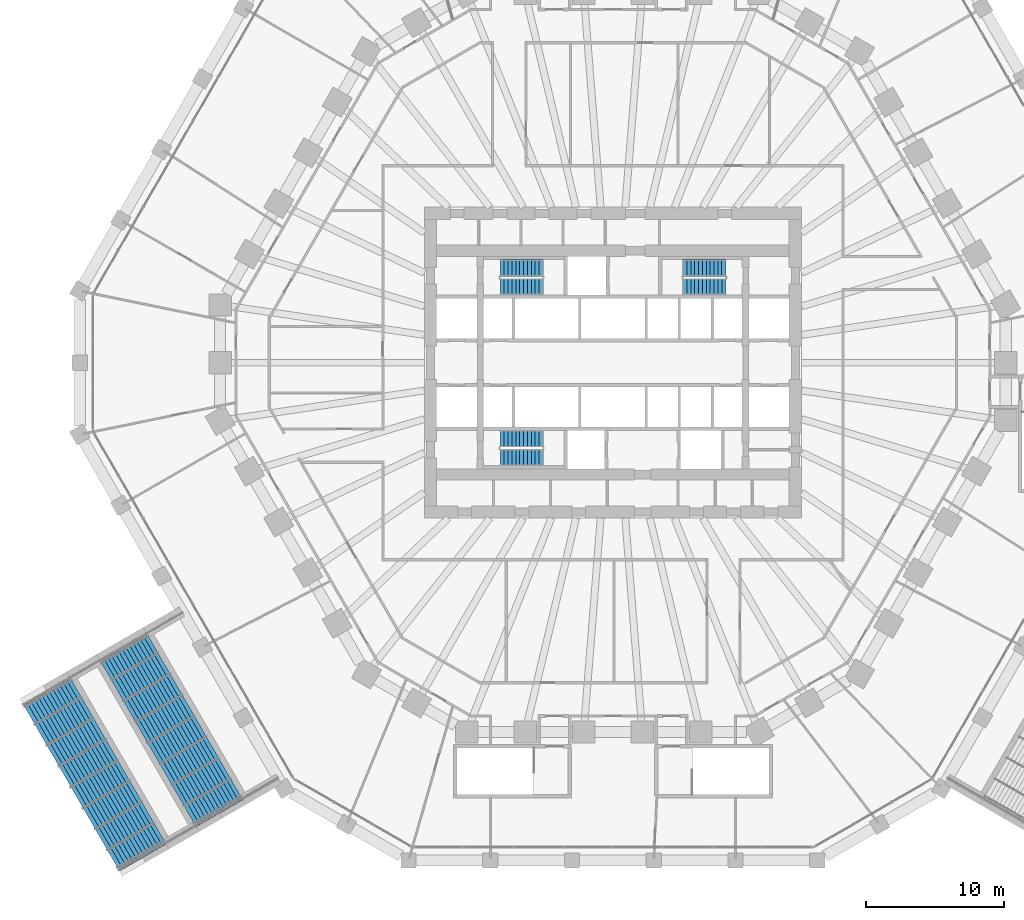
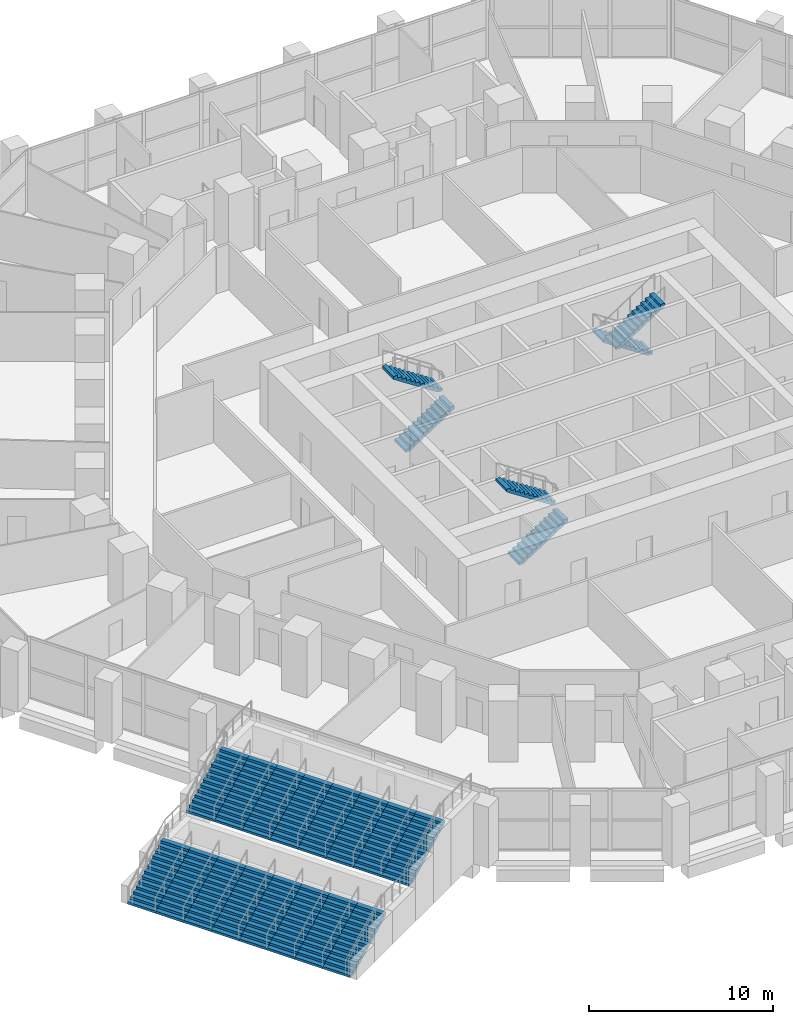
# One storey, part 30 of 38: 22 stair flights, 4 elements without a shape of their own.
"""IFC4 building model written with IfcOpenShell, lengths in metres."""

from ifc_helpers import new_model, si_unit, direction, frame, origin, place, context, subcontext, project, spatial, polyline, outline, extrude, material, layer, layer_set, type_object, element, aggregate, save


model = new_model("IFC4")

# Units and contexts
model_context = context("Model", 3, precision=1e-05, world=origin(), true_north=direction((0.0, 1.0)))
body_context = subcontext(model_context, "Body", "Model", "MODEL_VIEW")
ifc_project = project(units=[si_unit("LENGTHUNIT", "METRE"), si_unit("AREAUNIT", "SQUARE_METRE"), si_unit("VOLUMEUNIT", "CUBIC_METRE"), si_unit("PLANEANGLEUNIT", "RADIAN"), si_unit("MASSUNIT", "GRAM", prefix="KILO")], contexts=[model_context])

# Site, building, storey
site_placement = place(None, origin())
site = spatial("IfcSite", under=ifc_project, at=site_placement, CompositionType="ELEMENT")
building_placement = place(site_placement, origin())
building = spatial("IfcBuilding", under=site, at=building_placement, Name="Frailejon Research Tower", CompositionType="ELEMENT")
storey_placement = place(building_placement, frame((0.0, 0.0, 10.199951171875)))
storey = spatial("IfcBuildingStorey", under=building, at=storey_placement, Name="L02", CompositionType="ELEMENT", Elevation=10.199951171875)

# Stair, stair flights
ifc_material_1 = material(Name="Concrete C35/45", Category="concrete")
stair_type_1 = type_object("IfcStairType", Name="Broad stair", PredefinedType="STRAIGHT_RUN_STAIR", material=ifc_material_1)
stair_1_placement = place(storey_placement, origin())
stair_1 = element("IfcStair", 1, at=stair_1_placement, inside=storey, type_object=stair_type_1, Name="Broad stair W3", PredefinedType="STRAIGHT_RUN_STAIR")
ifc_material_2 = material(Name="Concrete C35/45", Category="concrete")
stair_flight_type_1 = type_object("IfcStairFlightType", Name="Broad stair flight", PredefinedType="STRAIGHT", material=ifc_material_2)
stair_flight_1_placement = place(storey_placement, frame((-36.715087890625, -22.207763671875, 2.199951171875), z_axis=(0.0, 0.0, 1.0), x_axis=(0.866025403784, 0.5, 0.0)))
stair_flight_1 = element("IfcStairFlight", 2, at=stair_flight_1_placement, type_object=stair_flight_type_1, Name="SS-W3 flight 1", NumberOfRisers=14, NumberOfTreads=13, PredefinedType="STRAIGHT", RiserHeight=0.157142857, TreadLength=0.3, context=body_context, shape_type="SweptSolid", body=[
    extrude(outline(polyline([(0.0, 0.0), (0.0, 0.1572265625), (0.300048828125, 0.1572265625), (0.300048828125, 0.314208984375), (0.60009765625, 0.314208984375), (0.60009765625, 0.471435546875), (0.89990234375, 0.471435546875), (0.89990234375, 0.628662109375), (1.199951171875, 0.628662109375), (1.199951171875, 0.78564453125), (1.5, 0.78564453125), (1.5, 0.94287109375), (1.800048828125, 0.94287109375), (1.800048828125, 1.10009765625), (2.10009765625, 1.10009765625), (2.10009765625, 1.257080078125), (2.39990234375, 1.257080078125), (2.39990234375, 1.414306640625), (2.699951171875, 1.414306640625), (2.699951171875, 1.571533203125), (3.0, 1.571533203125), (3.0, 1.728515625), (3.300048828125, 1.728515625), (3.300048828125, 1.8857421875), (3.60009765625, 1.8857421875), (3.60009765625, 2.04296875), (3.89990234375, 2.04296875), (3.89990234375, 2.199951171875), (3.89990234375, 1.817138671875), (0.430908203125, 0.0), (0.0, 0.0)])), frame((0.0, 0.875, 0.0), z_axis=(0.0, -1.0, 0.0), x_axis=(1.0, 0.0, 0.0)), (0.0, 0.0, 1.0), 1.75),
])
stair_flight_2_placement = place(storey_placement, frame((-35.840087890625, -23.723388671875, 2.199951171875), z_axis=(0.0, 0.0, 1.0), x_axis=(0.866025403784, 0.5, 0.0)))
stair_flight_2 = element("IfcStairFlight", 3, at=stair_flight_2_placement, type_object=stair_flight_type_1, Name="SS-W3 flight 2", NumberOfRisers=14, NumberOfTreads=13, PredefinedType="STRAIGHT", RiserHeight=0.157142857, TreadLength=0.3, context=body_context, shape_type="SweptSolid", body=[
    extrude(outline(polyline([(0.0, 0.0), (0.0, 0.1572265625), (0.300048828125, 0.1572265625), (0.300048828125, 0.314208984375), (0.60009765625, 0.314208984375), (0.60009765625, 0.471435546875), (0.89990234375, 0.471435546875), (0.89990234375, 0.628662109375), (1.199951171875, 0.628662109375), (1.199951171875, 0.78564453125), (1.5, 0.78564453125), (1.5, 0.94287109375), (1.800048828125, 0.94287109375), (1.800048828125, 1.10009765625), (2.10009765625, 1.10009765625), (2.10009765625, 1.257080078125), (2.39990234375, 1.257080078125), (2.39990234375, 1.414306640625), (2.699951171875, 1.414306640625), (2.699951171875, 1.571533203125), (3.0, 1.571533203125), (3.0, 1.728515625), (3.300048828125, 1.728515625), (3.300048828125, 1.8857421875), (3.60009765625, 1.8857421875), (3.60009765625, 2.04296875), (3.89990234375, 2.04296875), (3.89990234375, 2.199951171875), (3.89990234375, 1.817138671875), (0.430908203125, 0.0), (0.0, 0.0)])), frame((0.0, 0.875, 0.0), z_axis=(0.0, -1.0, 0.0), x_axis=(1.0, 0.0, 0.0)), (0.0, 0.0, 1.0), 1.75),
])
stair_flight_3_placement = place(storey_placement, frame((-34.965087890625, -25.239013671875, 2.199951171875), z_axis=(0.0, 0.0, 1.0), x_axis=(0.866025403784, 0.5, 0.0)))
stair_flight_3 = element("IfcStairFlight", 4, at=stair_flight_3_placement, type_object=stair_flight_type_1, Name="SS-W3 flight 3", NumberOfRisers=14, NumberOfTreads=13, PredefinedType="STRAIGHT", RiserHeight=0.157142857, TreadLength=0.3, context=body_context, shape_type="SweptSolid", body=[
    extrude(outline(polyline([(0.0, 0.0), (0.0, 0.1572265625), (0.300048828125, 0.1572265625), (0.300048828125, 0.314208984375), (0.60009765625, 0.314208984375), (0.60009765625, 0.471435546875), (0.89990234375, 0.471435546875), (0.89990234375, 0.628662109375), (1.199951171875, 0.628662109375), (1.199951171875, 0.78564453125), (1.5, 0.78564453125), (1.5, 0.94287109375), (1.800048828125, 0.94287109375), (1.800048828125, 1.10009765625), (2.10009765625, 1.10009765625), (2.10009765625, 1.257080078125), (2.39990234375, 1.257080078125), (2.39990234375, 1.414306640625), (2.699951171875, 1.414306640625), (2.699951171875, 1.571533203125), (3.0, 1.571533203125), (3.0, 1.728515625), (3.300048828125, 1.728515625), (3.300048828125, 1.8857421875), (3.60009765625, 1.8857421875), (3.60009765625, 2.04296875), (3.89990234375, 2.04296875), (3.89990234375, 2.199951171875), (3.89990234375, 1.817138671875), (0.430908203125, 0.0), (0.0, 0.0)])), frame((0.0, 0.875, 0.0), z_axis=(0.0, -1.0, 0.0), x_axis=(1.0, 0.0, 0.0)), (0.0, 0.0, 1.0), 1.75),
])
stair_flight_4_placement = place(storey_placement, frame((-34.090087890625, -26.75439453125, 2.199951171875), z_axis=(0.0, 0.0, 1.0), x_axis=(0.866025403784, 0.5, 0.0)))
stair_flight_4 = element("IfcStairFlight", 5, at=stair_flight_4_placement, type_object=stair_flight_type_1, Name="SS-W3 flight 4", NumberOfRisers=14, NumberOfTreads=13, PredefinedType="STRAIGHT", RiserHeight=0.157142857, TreadLength=0.3, context=body_context, shape_type="SweptSolid", body=[
    extrude(outline(polyline([(0.0, 0.0), (0.0, 0.1572265625), (0.300048828125, 0.1572265625), (0.300048828125, 0.314208984375), (0.60009765625, 0.314208984375), (0.60009765625, 0.471435546875), (0.89990234375, 0.471435546875), (0.89990234375, 0.628662109375), (1.199951171875, 0.628662109375), (1.199951171875, 0.78564453125), (1.5, 0.78564453125), (1.5, 0.94287109375), (1.800048828125, 0.94287109375), (1.800048828125, 1.10009765625), (2.10009765625, 1.10009765625), (2.10009765625, 1.257080078125), (2.39990234375, 1.257080078125), (2.39990234375, 1.414306640625), (2.699951171875, 1.414306640625), (2.699951171875, 1.571533203125), (3.0, 1.571533203125), (3.0, 1.728515625), (3.300048828125, 1.728515625), (3.300048828125, 1.8857421875), (3.60009765625, 1.8857421875), (3.60009765625, 2.04296875), (3.89990234375, 2.04296875), (3.89990234375, 2.199951171875), (3.89990234375, 1.817138671875), (0.430908203125, 0.0), (0.0, 0.0)])), frame((0.0, 0.875, 0.0), z_axis=(0.0, -1.0, 0.0), x_axis=(1.0, 0.0, 0.0)), (0.0, 0.0, 1.0), 1.75),
])
stair_flight_5_placement = place(storey_placement, frame((-33.215087890625, -28.27001953125, 2.199951171875), z_axis=(0.0, 0.0, 1.0), x_axis=(0.866025403784, 0.5, 0.0)))
stair_flight_5 = element("IfcStairFlight", 6, at=stair_flight_5_placement, type_object=stair_flight_type_1, Name="SS-W3 flight 5", NumberOfRisers=14, NumberOfTreads=13, PredefinedType="STRAIGHT", RiserHeight=0.157142857, TreadLength=0.3, context=body_context, shape_type="SweptSolid", body=[
    extrude(outline(polyline([(0.0, 0.0), (0.0, 0.1572265625), (0.300048828125, 0.1572265625), (0.300048828125, 0.314208984375), (0.60009765625, 0.314208984375), (0.60009765625, 0.471435546875), (0.89990234375, 0.471435546875), (0.89990234375, 0.628662109375), (1.199951171875, 0.628662109375), (1.199951171875, 0.78564453125), (1.5, 0.78564453125), (1.5, 0.94287109375), (1.800048828125, 0.94287109375), (1.800048828125, 1.10009765625), (2.10009765625, 1.10009765625), (2.10009765625, 1.257080078125), (2.39990234375, 1.257080078125), (2.39990234375, 1.414306640625), (2.699951171875, 1.414306640625), (2.699951171875, 1.571533203125), (3.0, 1.571533203125), (3.0, 1.728515625), (3.300048828125, 1.728515625), (3.300048828125, 1.8857421875), (3.60009765625, 1.8857421875), (3.60009765625, 2.04296875), (3.89990234375, 2.04296875), (3.89990234375, 2.199951171875), (3.89990234375, 1.817138671875), (0.430908203125, 0.0), (0.0, 0.0)])), frame((0.0, 0.875, 0.0), z_axis=(0.0, -1.0, 0.0), x_axis=(1.0, 0.0, 0.0)), (0.0, 0.0, 1.0), 1.75),
])
stair_flight_6_placement = place(storey_placement, frame((-32.340087890625, -29.785400390625, 2.199951171875), z_axis=(0.0, 0.0, 1.0), x_axis=(0.866025403784, 0.5, 0.0)))
stair_flight_6 = element("IfcStairFlight", 7, at=stair_flight_6_placement, type_object=stair_flight_type_1, Name="SS-W3 flight 6", NumberOfRisers=14, NumberOfTreads=13, PredefinedType="STRAIGHT", RiserHeight=0.157142857, TreadLength=0.3, context=body_context, shape_type="SweptSolid", body=[
    extrude(outline(polyline([(0.0, 0.0), (0.0, 0.1572265625), (0.300048828125, 0.1572265625), (0.300048828125, 0.314208984375), (0.60009765625, 0.314208984375), (0.60009765625, 0.471435546875), (0.89990234375, 0.471435546875), (0.89990234375, 0.628662109375), (1.199951171875, 0.628662109375), (1.199951171875, 0.78564453125), (1.5, 0.78564453125), (1.5, 0.94287109375), (1.800048828125, 0.94287109375), (1.800048828125, 1.10009765625), (2.10009765625, 1.10009765625), (2.10009765625, 1.257080078125), (2.39990234375, 1.257080078125), (2.39990234375, 1.414306640625), (2.699951171875, 1.414306640625), (2.699951171875, 1.571533203125), (3.0, 1.571533203125), (3.0, 1.728515625), (3.300048828125, 1.728515625), (3.300048828125, 1.8857421875), (3.60009765625, 1.8857421875), (3.60009765625, 2.04296875), (3.89990234375, 2.04296875), (3.89990234375, 2.199951171875), (3.89990234375, 1.817138671875), (0.430908203125, 0.0), (0.0, 0.0)])), frame((0.0, 0.875, 0.0), z_axis=(0.0, -1.0, 0.0), x_axis=(1.0, 0.0, 0.0)), (0.0, 0.0, 1.0), 1.75),
])
stair_flight_7_placement = place(storey_placement, frame((-31.465087890625, -31.301025390625, 2.199951171875), z_axis=(0.0, 0.0, 1.0), x_axis=(0.866025403784, 0.5, 0.0)))
stair_flight_7 = element("IfcStairFlight", 8, at=stair_flight_7_placement, type_object=stair_flight_type_1, Name="SS-W3 flight 7", NumberOfRisers=14, NumberOfTreads=13, PredefinedType="STRAIGHT", RiserHeight=0.157142857, TreadLength=0.3, context=body_context, shape_type="SweptSolid", body=[
    extrude(outline(polyline([(0.0, 0.0), (0.0, 0.1572265625), (0.300048828125, 0.1572265625), (0.300048828125, 0.314208984375), (0.60009765625, 0.314208984375), (0.60009765625, 0.471435546875), (0.89990234375, 0.471435546875), (0.89990234375, 0.628662109375), (1.199951171875, 0.628662109375), (1.199951171875, 0.78564453125), (1.5, 0.78564453125), (1.5, 0.94287109375), (1.800048828125, 0.94287109375), (1.800048828125, 1.10009765625), (2.10009765625, 1.10009765625), (2.10009765625, 1.257080078125), (2.39990234375, 1.257080078125), (2.39990234375, 1.414306640625), (2.699951171875, 1.414306640625), (2.699951171875, 1.571533203125), (3.0, 1.571533203125), (3.0, 1.728515625), (3.300048828125, 1.728515625), (3.300048828125, 1.8857421875), (3.60009765625, 1.8857421875), (3.60009765625, 2.04296875), (3.89990234375, 2.04296875), (3.89990234375, 2.199951171875), (3.89990234375, 1.817138671875), (0.430908203125, 0.0), (0.0, 0.0)])), frame((0.0, 0.875, 0.0), z_axis=(0.0, -1.0, 0.0), x_axis=(1.0, 0.0, 0.0)), (0.0, 0.0, 1.0), 1.75),
])
stair_flight_8_placement = place(storey_placement, frame((-30.590087890625, -32.816650390625, 2.199951171875), z_axis=(0.0, 0.0, 1.0), x_axis=(0.866025403784, 0.5, 0.0)))
stair_flight_8 = element("IfcStairFlight", 9, at=stair_flight_8_placement, type_object=stair_flight_type_1, Name="SS-W3 flight 8", NumberOfRisers=14, NumberOfTreads=13, PredefinedType="STRAIGHT", RiserHeight=0.157142857, TreadLength=0.3, context=body_context, shape_type="SweptSolid", body=[
    extrude(outline(polyline([(0.0, 0.0), (0.0, 0.1572265625), (0.300048828125, 0.1572265625), (0.300048828125, 0.314208984375), (0.60009765625, 0.314208984375), (0.60009765625, 0.471435546875), (0.89990234375, 0.471435546875), (0.89990234375, 0.628662109375), (1.199951171875, 0.628662109375), (1.199951171875, 0.78564453125), (1.5, 0.78564453125), (1.5, 0.94287109375), (1.800048828125, 0.94287109375), (1.800048828125, 1.10009765625), (2.10009765625, 1.10009765625), (2.10009765625, 1.257080078125), (2.39990234375, 1.257080078125), (2.39990234375, 1.414306640625), (2.699951171875, 1.414306640625), (2.699951171875, 1.571533203125), (3.0, 1.571533203125), (3.0, 1.728515625), (3.300048828125, 1.728515625), (3.300048828125, 1.8857421875), (3.60009765625, 1.8857421875), (3.60009765625, 2.04296875), (3.89990234375, 2.04296875), (3.89990234375, 2.199951171875), (3.89990234375, 1.817138671875), (0.430908203125, 0.0), (0.0, 0.0)])), frame((0.0, 0.875, 0.0), z_axis=(0.0, -1.0, 0.0), x_axis=(1.0, 0.0, 0.0)), (0.0, 0.0, 1.0), 1.75),
])
stair_flight_9_placement = place(storey_placement, frame((-42.257568359375, -25.40771484375, 0.0), z_axis=(0.0, 0.0, 1.0), x_axis=(0.866025403784, 0.5, 0.0)))
stair_flight_9 = element("IfcStairFlight", 10, at=stair_flight_9_placement, type_object=stair_flight_type_1, Name="SS-W3 flight 9", NumberOfRisers=14, NumberOfTreads=13, PredefinedType="STRAIGHT", RiserHeight=0.157142857, TreadLength=0.3, context=body_context, shape_type="SweptSolid", body=[
    extrude(outline(polyline([(0.0, 0.0), (0.0, 0.1572265625), (0.300048828125, 0.1572265625), (0.300048828125, 0.314208984375), (0.60009765625, 0.314208984375), (0.60009765625, 0.471435546875), (0.89990234375, 0.471435546875), (0.89990234375, 0.628662109375), (1.199951171875, 0.628662109375), (1.199951171875, 0.78564453125), (1.5, 0.78564453125), (1.5, 0.94287109375), (1.800048828125, 0.94287109375), (1.800048828125, 1.10009765625), (2.10009765625, 1.10009765625), (2.10009765625, 1.257080078125), (2.39990234375, 1.257080078125), (2.39990234375, 1.414306640625), (2.699951171875, 1.414306640625), (2.699951171875, 1.571533203125), (3.0, 1.571533203125), (3.0, 1.728515625), (3.300048828125, 1.728515625), (3.300048828125, 1.8857421875), (3.60009765625, 1.8857421875), (3.60009765625, 2.04296875), (3.89990234375, 2.04296875), (3.89990234375, 2.199951171875), (3.89990234375, 1.817138671875), (0.430908203125, 0.0), (0.0, 0.0)])), frame((0.0, 0.875, 0.0), z_axis=(0.0, -1.0, 0.0), x_axis=(1.0, 0.0, 0.0)), (0.0, 0.0, 1.0), 1.75),
])
stair_flight_10_placement = place(storey_placement, frame((-41.382568359375, -26.92333984375, 0.0), z_axis=(0.0, 0.0, 1.0), x_axis=(0.866025403784, 0.5, 0.0)))
stair_flight_10 = element("IfcStairFlight", 11, at=stair_flight_10_placement, type_object=stair_flight_type_1, Name="SS-W3 flight 10", NumberOfRisers=14, NumberOfTreads=13, PredefinedType="STRAIGHT", RiserHeight=0.157142857, TreadLength=0.3, context=body_context, shape_type="SweptSolid", body=[
    extrude(outline(polyline([(0.0, 0.0), (0.0, 0.1572265625), (0.300048828125, 0.1572265625), (0.300048828125, 0.314208984375), (0.60009765625, 0.314208984375), (0.60009765625, 0.471435546875), (0.89990234375, 0.471435546875), (0.89990234375, 0.628662109375), (1.199951171875, 0.628662109375), (1.199951171875, 0.78564453125), (1.5, 0.78564453125), (1.5, 0.94287109375), (1.800048828125, 0.94287109375), (1.800048828125, 1.10009765625), (2.10009765625, 1.10009765625), (2.10009765625, 1.257080078125), (2.39990234375, 1.257080078125), (2.39990234375, 1.414306640625), (2.699951171875, 1.414306640625), (2.699951171875, 1.571533203125), (3.0, 1.571533203125), (3.0, 1.728515625), (3.300048828125, 1.728515625), (3.300048828125, 1.8857421875), (3.60009765625, 1.8857421875), (3.60009765625, 2.04296875), (3.89990234375, 2.04296875), (3.89990234375, 2.199951171875), (3.89990234375, 1.817138671875), (0.430908203125, 0.0), (0.0, 0.0)])), frame((0.0, 0.875, 0.0), z_axis=(0.0, -1.0, 0.0), x_axis=(1.0, 0.0, 0.0)), (0.0, 0.0, 1.0), 1.75),
])
stair_flight_11_placement = place(storey_placement, frame((-40.507568359375, -28.43896484375, 0.0), z_axis=(0.0, 0.0, 1.0), x_axis=(0.866025403784, 0.5, 0.0)))
stair_flight_11 = element("IfcStairFlight", 12, at=stair_flight_11_placement, type_object=stair_flight_type_1, Name="SS-W3 flight 11", NumberOfRisers=14, NumberOfTreads=13, PredefinedType="STRAIGHT", RiserHeight=0.157142857, TreadLength=0.3, context=body_context, shape_type="SweptSolid", body=[
    extrude(outline(polyline([(0.0, 0.0), (0.0, 0.1572265625), (0.300048828125, 0.1572265625), (0.300048828125, 0.314208984375), (0.60009765625, 0.314208984375), (0.60009765625, 0.471435546875), (0.89990234375, 0.471435546875), (0.89990234375, 0.628662109375), (1.199951171875, 0.628662109375), (1.199951171875, 0.78564453125), (1.5, 0.78564453125), (1.5, 0.94287109375), (1.800048828125, 0.94287109375), (1.800048828125, 1.10009765625), (2.10009765625, 1.10009765625), (2.10009765625, 1.257080078125), (2.39990234375, 1.257080078125), (2.39990234375, 1.414306640625), (2.699951171875, 1.414306640625), (2.699951171875, 1.571533203125), (3.0, 1.571533203125), (3.0, 1.728515625), (3.300048828125, 1.728515625), (3.300048828125, 1.8857421875), (3.60009765625, 1.8857421875), (3.60009765625, 2.04296875), (3.89990234375, 2.04296875), (3.89990234375, 2.199951171875), (3.89990234375, 1.817138671875), (0.430908203125, 0.0), (0.0, 0.0)])), frame((0.0, 0.875, 0.0), z_axis=(0.0, -1.0, 0.0), x_axis=(1.0, 0.0, 0.0)), (0.0, 0.0, 1.0), 1.75),
])
stair_flight_12_placement = place(storey_placement, frame((-39.632568359375, -29.954345703125, 0.0), z_axis=(0.0, 0.0, 1.0), x_axis=(0.866025403784, 0.5, 0.0)))
stair_flight_12 = element("IfcStairFlight", 13, at=stair_flight_12_placement, type_object=stair_flight_type_1, Name="SS-W3 flight 12", NumberOfRisers=14, NumberOfTreads=13, PredefinedType="STRAIGHT", RiserHeight=0.157142857, TreadLength=0.3, context=body_context, shape_type="SweptSolid", body=[
    extrude(outline(polyline([(0.0, 0.0), (0.0, 0.1572265625), (0.300048828125, 0.1572265625), (0.300048828125, 0.314208984375), (0.60009765625, 0.314208984375), (0.60009765625, 0.471435546875), (0.89990234375, 0.471435546875), (0.89990234375, 0.628662109375), (1.199951171875, 0.628662109375), (1.199951171875, 0.78564453125), (1.5, 0.78564453125), (1.5, 0.94287109375), (1.800048828125, 0.94287109375), (1.800048828125, 1.10009765625), (2.10009765625, 1.10009765625), (2.10009765625, 1.257080078125), (2.39990234375, 1.257080078125), (2.39990234375, 1.414306640625), (2.699951171875, 1.414306640625), (2.699951171875, 1.571533203125), (3.0, 1.571533203125), (3.0, 1.728515625), (3.300048828125, 1.728515625), (3.300048828125, 1.8857421875), (3.60009765625, 1.8857421875), (3.60009765625, 2.04296875), (3.89990234375, 2.04296875), (3.89990234375, 2.199951171875), (3.89990234375, 1.817138671875), (0.430908203125, 0.0), (0.0, 0.0)])), frame((0.0, 0.875, 0.0), z_axis=(0.0, -1.0, 0.0), x_axis=(1.0, 0.0, 0.0)), (0.0, 0.0, 1.0), 1.75),
])
stair_flight_13_placement = place(storey_placement, frame((-38.757568359375, -31.469970703125, 0.0), z_axis=(0.0, 0.0, 1.0), x_axis=(0.866025403784, 0.5, 0.0)))
stair_flight_13 = element("IfcStairFlight", 14, at=stair_flight_13_placement, type_object=stair_flight_type_1, Name="SS-W3 flight 13", NumberOfRisers=14, NumberOfTreads=13, PredefinedType="STRAIGHT", RiserHeight=0.157142857, TreadLength=0.3, context=body_context, shape_type="SweptSolid", body=[
    extrude(outline(polyline([(0.0, 0.0), (0.0, 0.1572265625), (0.300048828125, 0.1572265625), (0.300048828125, 0.314208984375), (0.60009765625, 0.314208984375), (0.60009765625, 0.471435546875), (0.89990234375, 0.471435546875), (0.89990234375, 0.628662109375), (1.199951171875, 0.628662109375), (1.199951171875, 0.78564453125), (1.5, 0.78564453125), (1.5, 0.94287109375), (1.800048828125, 0.94287109375), (1.800048828125, 1.10009765625), (2.10009765625, 1.10009765625), (2.10009765625, 1.257080078125), (2.39990234375, 1.257080078125), (2.39990234375, 1.414306640625), (2.699951171875, 1.414306640625), (2.699951171875, 1.571533203125), (3.0, 1.571533203125), (3.0, 1.728515625), (3.300048828125, 1.728515625), (3.300048828125, 1.8857421875), (3.60009765625, 1.8857421875), (3.60009765625, 2.04296875), (3.89990234375, 2.04296875), (3.89990234375, 2.199951171875), (3.89990234375, 1.817138671875), (0.430908203125, 0.0), (0.0, 0.0)])), frame((0.0, 0.875, 0.0), z_axis=(0.0, -1.0, 0.0), x_axis=(1.0, 0.0, 0.0)), (0.0, 0.0, 1.0), 1.75),
])
stair_flight_14_placement = place(storey_placement, frame((-37.882568359375, -32.985595703125, 0.0), z_axis=(0.0, 0.0, 1.0), x_axis=(0.866025403784, 0.5, 0.0)))
stair_flight_14 = element("IfcStairFlight", 15, at=stair_flight_14_placement, type_object=stair_flight_type_1, Name="SS-W3 flight 14", NumberOfRisers=14, NumberOfTreads=13, PredefinedType="STRAIGHT", RiserHeight=0.157142857, TreadLength=0.3, context=body_context, shape_type="SweptSolid", body=[
    extrude(outline(polyline([(0.0, 0.0), (0.0, 0.1572265625), (0.300048828125, 0.1572265625), (0.300048828125, 0.314208984375), (0.60009765625, 0.314208984375), (0.60009765625, 0.471435546875), (0.89990234375, 0.471435546875), (0.89990234375, 0.628662109375), (1.199951171875, 0.628662109375), (1.199951171875, 0.78564453125), (1.5, 0.78564453125), (1.5, 0.94287109375), (1.800048828125, 0.94287109375), (1.800048828125, 1.10009765625), (2.10009765625, 1.10009765625), (2.10009765625, 1.257080078125), (2.39990234375, 1.257080078125), (2.39990234375, 1.414306640625), (2.699951171875, 1.414306640625), (2.699951171875, 1.571533203125), (3.0, 1.571533203125), (3.0, 1.728515625), (3.300048828125, 1.728515625), (3.300048828125, 1.8857421875), (3.60009765625, 1.8857421875), (3.60009765625, 2.04296875), (3.89990234375, 2.04296875), (3.89990234375, 2.199951171875), (3.89990234375, 1.817138671875), (0.430908203125, 0.0), (0.0, 0.0)])), frame((0.0, 0.875, 0.0), z_axis=(0.0, -1.0, 0.0), x_axis=(1.0, 0.0, 0.0)), (0.0, 0.0, 1.0), 1.75),
])
stair_flight_15_placement = place(storey_placement, frame((-37.007568359375, -34.5009765625, 0.0), z_axis=(0.0, 0.0, 1.0), x_axis=(0.866025403784, 0.5, 0.0)))
stair_flight_15 = element("IfcStairFlight", 16, at=stair_flight_15_placement, type_object=stair_flight_type_1, Name="SS-W3 flight 15", NumberOfRisers=14, NumberOfTreads=13, PredefinedType="STRAIGHT", RiserHeight=0.157142857, TreadLength=0.3, context=body_context, shape_type="SweptSolid", body=[
    extrude(outline(polyline([(0.0, 0.0), (0.0, 0.1572265625), (0.300048828125, 0.1572265625), (0.300048828125, 0.314208984375), (0.60009765625, 0.314208984375), (0.60009765625, 0.471435546875), (0.89990234375, 0.471435546875), (0.89990234375, 0.628662109375), (1.199951171875, 0.628662109375), (1.199951171875, 0.78564453125), (1.5, 0.78564453125), (1.5, 0.94287109375), (1.800048828125, 0.94287109375), (1.800048828125, 1.10009765625), (2.10009765625, 1.10009765625), (2.10009765625, 1.257080078125), (2.39990234375, 1.257080078125), (2.39990234375, 1.414306640625), (2.699951171875, 1.414306640625), (2.699951171875, 1.571533203125), (3.0, 1.571533203125), (3.0, 1.728515625), (3.300048828125, 1.728515625), (3.300048828125, 1.8857421875), (3.60009765625, 1.8857421875), (3.60009765625, 2.04296875), (3.89990234375, 2.04296875), (3.89990234375, 2.199951171875), (3.89990234375, 1.817138671875), (0.430908203125, 0.0), (0.0, 0.0)])), frame((0.0, 0.875, 0.0), z_axis=(0.0, -1.0, 0.0), x_axis=(1.0, 0.0, 0.0)), (0.0, 0.0, 1.0), 1.75),
])
stair_flight_16_placement = place(storey_placement, frame((-36.132568359375, -36.0166015625, 0.0), z_axis=(0.0, 0.0, 1.0), x_axis=(0.866025403784, 0.5, 0.0)))
stair_flight_16 = element("IfcStairFlight", 17, at=stair_flight_16_placement, type_object=stair_flight_type_1, Name="SS-W3 flight 16", NumberOfRisers=14, NumberOfTreads=13, PredefinedType="STRAIGHT", RiserHeight=0.157142857, TreadLength=0.3, context=body_context, shape_type="SweptSolid", body=[
    extrude(outline(polyline([(0.0, 0.0), (0.0, 0.1572265625), (0.300048828125, 0.1572265625), (0.300048828125, 0.314208984375), (0.60009765625, 0.314208984375), (0.60009765625, 0.471435546875), (0.89990234375, 0.471435546875), (0.89990234375, 0.628662109375), (1.199951171875, 0.628662109375), (1.199951171875, 0.78564453125), (1.5, 0.78564453125), (1.5, 0.94287109375), (1.800048828125, 0.94287109375), (1.800048828125, 1.10009765625), (2.10009765625, 1.10009765625), (2.10009765625, 1.257080078125), (2.39990234375, 1.257080078125), (2.39990234375, 1.414306640625), (2.699951171875, 1.414306640625), (2.699951171875, 1.571533203125), (3.0, 1.571533203125), (3.0, 1.728515625), (3.300048828125, 1.728515625), (3.300048828125, 1.8857421875), (3.60009765625, 1.8857421875), (3.60009765625, 2.04296875), (3.89990234375, 2.04296875), (3.89990234375, 2.199951171875), (3.89990234375, 1.817138671875), (0.430908203125, 0.0), (0.0, 0.0)])), frame((0.0, 0.875, 0.0), z_axis=(0.0, -1.0, 0.0), x_axis=(1.0, 0.0, 0.0)), (0.0, 0.0, 1.0), 1.75),
])
aggregate(stair_1, [stair_flight_1, stair_flight_2, stair_flight_3, stair_flight_4, stair_flight_5, stair_flight_6, stair_flight_7, stair_flight_8, stair_flight_9, stair_flight_10, stair_flight_11, stair_flight_12, stair_flight_13, stair_flight_14, stair_flight_15, stair_flight_16])

ifc_material_3 = material(Name="Concrete C50/60", Category="concrete")
stair_type_2 = type_object("IfcStairType", Name="Exit stair 24 risers", PredefinedType="HALF_TURN_STAIR", material=ifc_material_3)
stair_2_placement = place(storey_placement, origin())
stair_2 = element("IfcStair", 18, at=stair_2_placement, inside=storey, type_object=stair_type_2, Name="L02 Exit stair ST1", PredefinedType="HALF_TURN_STAIR")
ifc_material_4 = material(Name="Concrete C50/60", Category="concrete")
ifc_layer = layer(ifc_material_4, 0.14990234375)
ifc_layer_set = layer_set([ifc_layer], Name="Stair flight 12 risers")
stair_flight_type_2 = type_object("IfcStairFlightType", Name="Stair flight 12 risers", PredefinedType="STRAIGHT", material=ifc_layer_set)
stair_flight_17_placement = place(storey_placement, frame((-8.14990234375, 5.5, 0.0), z_axis=(0.0, 0.0, 1.0), x_axis=(1.0, 0.0, 0.0)))
stair_flight_17 = element("IfcStairFlight", 19, at=stair_flight_17_placement, type_object=stair_flight_type_2, Name="ST1 flight 1", NumberOfRisers=12, NumberOfTreads=11, PredefinedType="STRAIGHT", RiserHeight=0.183333333, TreadLength=0.28, context=body_context, shape_type="SweptSolid", body=[
    extrude(outline(polyline([(0.0, 0.0), (0.0, 0.183349609375), (0.280029296875, 0.183349609375), (0.280029296875, 0.36669921875), (0.56005859375, 0.36669921875), (0.56005859375, 0.550048828125), (0.840087890625, 0.550048828125), (0.840087890625, 0.7333984375), (1.1201171875, 0.7333984375), (1.1201171875, 0.916748046875), (1.39990234375, 0.916748046875), (1.39990234375, 1.10009765625), (1.679931640625, 1.10009765625), (1.679931640625, 1.283447265625), (1.9599609375, 1.283447265625), (1.9599609375, 1.466552734375), (2.239990234375, 1.466552734375), (2.239990234375, 1.64990234375), (2.52001953125, 1.64990234375), (2.52001953125, 1.833251953125), (2.800048828125, 1.833251953125), (2.800048828125, 2.0166015625), (3.080078125, 2.0166015625), (3.080078125, 2.199951171875), (3.080078125, 1.83740234375), (0.273681640625, 0.0), (0.0, 0.0)])), frame((0.0, 0.60009765625, 0.0), z_axis=(0.0, -1.0, 0.0), x_axis=(1.0, 0.0, 0.0)), (0.0, 0.0, 1.0), 1.199951171875),
])
stair_flight_18_placement = place(storey_placement, frame((-5.070068359375, 6.85009765625, 2.199951171875), z_axis=(0.0, 0.0, 1.0), x_axis=(-1.0, 0.0, 0.0)))
stair_flight_18 = element("IfcStairFlight", 20, at=stair_flight_18_placement, type_object=stair_flight_type_2, Name="ST1 flight 2", NumberOfRisers=12, NumberOfTreads=11, PredefinedType="STRAIGHT", RiserHeight=0.183333333, TreadLength=0.28, context=body_context, shape_type="SweptSolid", body=[
    extrude(outline(polyline([(0.0, 0.0), (0.0, 0.183349609375), (0.280029296875, 0.183349609375), (0.280029296875, 0.36669921875), (0.56005859375, 0.36669921875), (0.56005859375, 0.550048828125), (0.840087890625, 0.550048828125), (0.840087890625, 0.7333984375), (1.1201171875, 0.7333984375), (1.1201171875, 0.916748046875), (1.39990234375, 0.916748046875), (1.39990234375, 1.10009765625), (1.679931640625, 1.10009765625), (1.679931640625, 1.283447265625), (1.9599609375, 1.283447265625), (1.9599609375, 1.466552734375), (2.239990234375, 1.466552734375), (2.239990234375, 1.64990234375), (2.52001953125, 1.64990234375), (2.52001953125, 1.833251953125), (2.800048828125, 1.833251953125), (2.800048828125, 2.0166015625), (3.080078125, 2.0166015625), (3.080078125, 2.199951171875), (3.080078125, 1.83740234375), (0.273681640625, 0.0), (0.0, 0.0)])), frame((0.0, 0.60009765625, 0.0), z_axis=(0.0, -1.0, 0.0), x_axis=(1.0, 0.0, 0.0)), (0.0, 0.0, 1.0), 1.199951171875),
])
aggregate(stair_2, [stair_flight_17, stair_flight_18])

stair_3_placement = place(storey_placement, origin())
stair_3 = element("IfcStair", 21, at=stair_3_placement, inside=storey, type_object=stair_type_2, Name="L02 Exit stair ST2", PredefinedType="HALF_TURN_STAIR")
stair_flight_19_placement = place(storey_placement, frame((-8.14990234375, -6.85009765625, 0.0), z_axis=(0.0, 0.0, 1.0), x_axis=(1.0, 0.0, 0.0)))
stair_flight_19 = element("IfcStairFlight", 22, at=stair_flight_19_placement, type_object=stair_flight_type_2, Name="ST2 flight 1", NumberOfRisers=12, NumberOfTreads=11, PredefinedType="STRAIGHT", RiserHeight=0.183333333, TreadLength=0.28, context=body_context, shape_type="SweptSolid", body=[
    extrude(outline(polyline([(0.0, 0.0), (0.0, 0.183349609375), (0.280029296875, 0.183349609375), (0.280029296875, 0.36669921875), (0.56005859375, 0.36669921875), (0.56005859375, 0.550048828125), (0.840087890625, 0.550048828125), (0.840087890625, 0.7333984375), (1.1201171875, 0.7333984375), (1.1201171875, 0.916748046875), (1.39990234375, 0.916748046875), (1.39990234375, 1.10009765625), (1.679931640625, 1.10009765625), (1.679931640625, 1.283447265625), (1.9599609375, 1.283447265625), (1.9599609375, 1.466552734375), (2.239990234375, 1.466552734375), (2.239990234375, 1.64990234375), (2.52001953125, 1.64990234375), (2.52001953125, 1.833251953125), (2.800048828125, 1.833251953125), (2.800048828125, 2.0166015625), (3.080078125, 2.0166015625), (3.080078125, 2.199951171875), (3.080078125, 1.83740234375), (0.273681640625, 0.0), (0.0, 0.0)])), frame((0.0, 0.60009765625, 0.0), z_axis=(0.0, -1.0, 0.0), x_axis=(1.0, 0.0, 0.0)), (0.0, 0.0, 1.0), 1.199951171875),
])
stair_flight_20_placement = place(storey_placement, frame((-5.070068359375, -5.5, 2.199951171875), z_axis=(0.0, 0.0, 1.0), x_axis=(-1.0, 0.0, 0.0)))
stair_flight_20 = element("IfcStairFlight", 23, at=stair_flight_20_placement, type_object=stair_flight_type_2, Name="ST2 flight 2", NumberOfRisers=12, NumberOfTreads=11, PredefinedType="STRAIGHT", RiserHeight=0.183333333, TreadLength=0.28, context=body_context, shape_type="SweptSolid", body=[
    extrude(outline(polyline([(0.0, 0.0), (0.0, 0.183349609375), (0.280029296875, 0.183349609375), (0.280029296875, 0.36669921875), (0.56005859375, 0.36669921875), (0.56005859375, 0.550048828125), (0.840087890625, 0.550048828125), (0.840087890625, 0.7333984375), (1.1201171875, 0.7333984375), (1.1201171875, 0.916748046875), (1.39990234375, 0.916748046875), (1.39990234375, 1.10009765625), (1.679931640625, 1.10009765625), (1.679931640625, 1.283447265625), (1.9599609375, 1.283447265625), (1.9599609375, 1.466552734375), (2.239990234375, 1.466552734375), (2.239990234375, 1.64990234375), (2.52001953125, 1.64990234375), (2.52001953125, 1.833251953125), (2.800048828125, 1.833251953125), (2.800048828125, 2.0166015625), (3.080078125, 2.0166015625), (3.080078125, 2.199951171875), (3.080078125, 1.83740234375), (0.273681640625, 0.0), (0.0, 0.0)])), frame((0.0, 0.60009765625, 0.0), z_axis=(0.0, -1.0, 0.0), x_axis=(1.0, 0.0, 0.0)), (0.0, 0.0, 1.0), 1.199951171875),
])
aggregate(stair_3, [stair_flight_19, stair_flight_20])

stair_4_placement = place(storey_placement, origin())
stair_4 = element("IfcStair", 24, at=stair_4_placement, inside=storey, type_object=stair_type_2, Name="L02 Exit stair ST3", PredefinedType="HALF_TURN_STAIR")
stair_flight_21_placement = place(storey_placement, frame((8.14990234375, 6.85009765625, 0.0), z_axis=(0.0, 0.0, 1.0), x_axis=(-1.0, 0.0, 0.0)))
stair_flight_21 = element("IfcStairFlight", 25, at=stair_flight_21_placement, type_object=stair_flight_type_2, Name="ST3 flight 1", NumberOfRisers=12, NumberOfTreads=11, PredefinedType="STRAIGHT", RiserHeight=0.183333333, TreadLength=0.28, context=body_context, shape_type="SweptSolid", body=[
    extrude(outline(polyline([(0.0, 0.0), (0.0, 0.183349609375), (0.280029296875, 0.183349609375), (0.280029296875, 0.36669921875), (0.56005859375, 0.36669921875), (0.56005859375, 0.550048828125), (0.840087890625, 0.550048828125), (0.840087890625, 0.7333984375), (1.1201171875, 0.7333984375), (1.1201171875, 0.916748046875), (1.39990234375, 0.916748046875), (1.39990234375, 1.10009765625), (1.679931640625, 1.10009765625), (1.679931640625, 1.283447265625), (1.9599609375, 1.283447265625), (1.9599609375, 1.466552734375), (2.239990234375, 1.466552734375), (2.239990234375, 1.64990234375), (2.52001953125, 1.64990234375), (2.52001953125, 1.833251953125), (2.800048828125, 1.833251953125), (2.800048828125, 2.0166015625), (3.080078125, 2.0166015625), (3.080078125, 2.199951171875), (3.080078125, 1.83740234375), (0.273681640625, 0.0), (0.0, 0.0)])), frame((0.0, 0.60009765625, 0.0), z_axis=(0.0, -1.0, 0.0), x_axis=(1.0, 0.0, 0.0)), (0.0, 0.0, 1.0), 1.199951171875),
])
stair_flight_22_placement = place(storey_placement, frame((5.070068359375, 5.5, 2.199951171875), z_axis=(0.0, 0.0, 1.0), x_axis=(1.0, 0.0, 0.0)))
stair_flight_22 = element("IfcStairFlight", 26, at=stair_flight_22_placement, type_object=stair_flight_type_2, Name="ST3 flight 2", NumberOfRisers=12, NumberOfTreads=11, PredefinedType="STRAIGHT", RiserHeight=0.183333333, TreadLength=0.28, context=body_context, shape_type="SweptSolid", body=[
    extrude(outline(polyline([(0.0, 0.0), (0.0, 0.183349609375), (0.280029296875, 0.183349609375), (0.280029296875, 0.36669921875), (0.56005859375, 0.36669921875), (0.56005859375, 0.550048828125), (0.840087890625, 0.550048828125), (0.840087890625, 0.7333984375), (1.1201171875, 0.7333984375), (1.1201171875, 0.916748046875), (1.39990234375, 0.916748046875), (1.39990234375, 1.10009765625), (1.679931640625, 1.10009765625), (1.679931640625, 1.283447265625), (1.9599609375, 1.283447265625), (1.9599609375, 1.466552734375), (2.239990234375, 1.466552734375), (2.239990234375, 1.64990234375), (2.52001953125, 1.64990234375), (2.52001953125, 1.833251953125), (2.800048828125, 1.833251953125), (2.800048828125, 2.0166015625), (3.080078125, 2.0166015625), (3.080078125, 2.199951171875), (3.080078125, 1.83740234375), (0.273681640625, 0.0), (0.0, 0.0)])), frame((0.0, 0.60009765625, 0.0), z_axis=(0.0, -1.0, 0.0), x_axis=(1.0, 0.0, 0.0)), (0.0, 0.0, 1.0), 1.199951171875),
])
aggregate(stair_4, [stair_flight_21, stair_flight_22])

save(model, "model.ifc")
